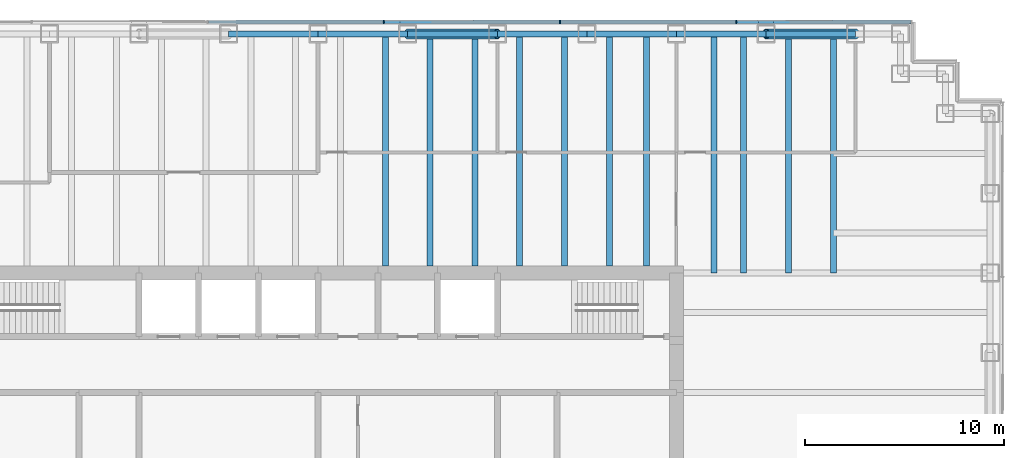
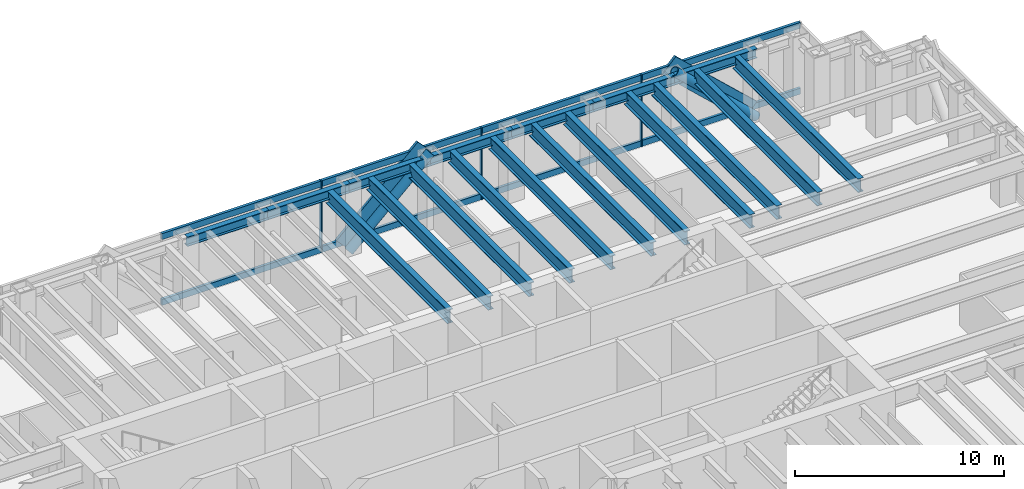
# One storey, part 7 of 15: 18 beams, 15 members, 1 element without a shape of its own.
"""IFC4 building model written with IfcOpenShell, lengths in metres."""

from ifc_helpers import new_model, si_unit, direction, frame, origin, origin_2d, place, context, subcontext, project, spatial, rectangle, hollow_circle, i_section, extrude, material, material_profile, profile_set, type_object, element, aggregate, save


model = new_model("IFC4")

# Units and contexts
model_context = context("Model", 3, precision=1e-05, world=origin(), true_north=direction((0.0, 1.0)))
body_context = subcontext(model_context, "Body", "Model", "MODEL_VIEW")
ifc_project = project(units=[si_unit("LENGTHUNIT", "METRE"), si_unit("AREAUNIT", "SQUARE_METRE"), si_unit("VOLUMEUNIT", "CUBIC_METRE"), si_unit("PLANEANGLEUNIT", "RADIAN"), si_unit("MASSUNIT", "GRAM", prefix="KILO")], contexts=[model_context])

# Site, building, storey
site_placement = place(None, origin())
site = spatial("IfcSite", under=ifc_project, at=site_placement, CompositionType="ELEMENT")
building_placement = place(site_placement, origin())
building = spatial("IfcBuilding", under=site, at=building_placement, Name="Rheinbord Bourse Tower", CompositionType="ELEMENT")
storey_placement = place(building_placement, frame((0.0, 0.0, 308.89990234375)))
storey = spatial("IfcBuildingStorey", under=building, at=storey_placement, Name="L70", CompositionType="ELEMENT", Elevation=308.89990234375)

# Curtain wall, members
ifc_material_1 = material(Name="Dark glass and black aluminium", Category="aluminium")
curtain_wall_type = type_object("IfcCurtainWallType", Name="CW3 DARK GLASS CURTAIN WALL", PredefinedType="USERDEFINED", material=ifc_material_1)
curtain_wall_placement = place(storey_placement, origin())
curtain_wall = element("IfcCurtainWall", 1, at=curtain_wall_placement, inside=storey, type_object=curtain_wall_type, Name="Curtain wall CW3 N L70", ObjectType="UNITISED CURTAIN WALL", PredefinedType="USERDEFINED")
ifc_material_2 = material(Name="Black anodised aluminium", Category="aluminium")
ifc_material_profile_1 = material_profile(ifc_material_2, rectangle(XDim=0.14990234375, YDim=1.10791015625, at=origin_2d()), Name="CW3 DIAGONAL MULLION 1108x150")
ifc_profile_set_1 = profile_set([ifc_material_profile_1], Name="Black anodised aluminium")
member_type_1 = type_object("IfcMemberType", Name="CW3 BLACK DIAGONAL MULLION", PredefinedType="USERDEFINED", material=ifc_profile_set_1)
member_1_placement = place(storey_placement, frame((63.0, 44.60009765625, 0.0), z_axis=(-0.731039441158, 0.0, 0.682335207557), x_axis=(0.0, -1.0, 0.0)))
member_1 = element("IfcMember", 2, at=member_1_placement, type_object=member_type_1, Name="CW3 diagonal mullion a", ObjectType="DIAGONAL MULLION", PredefinedType="USERDEFINED", context=body_context, shape_type="SweptSolid", body=[
    extrude(rectangle(XDim=0.14990234375, YDim=1.10791015625, at=origin_2d()), origin(), (0.0, 0.0, 1.0), 6.155517578125),
])
member_2_placement = place(storey_placement, frame((40.5, 44.60009765625, 0.0), z_axis=(0.731039441158, 0.0, 0.682335207557), x_axis=(0.0, 1.0, 0.0)))
member_2 = element("IfcMember", 3, at=member_2_placement, type_object=member_type_1, Name="CW3 diagonal mullion d", ObjectType="DIAGONAL MULLION", PredefinedType="USERDEFINED", context=body_context, shape_type="SweptSolid", body=[
    extrude(rectangle(XDim=0.14990234375, YDim=1.10791015625, at=origin_2d()), origin(), (0.0, 0.0, 1.0), 6.155517578125),
])
ifc_material_3 = material(Name="Black anodised aluminium", Category="aluminium")
ifc_material_profile_2 = material_profile(ifc_material_3, rectangle(XDim=0.199951171875, YDim=0.06494140625, at=origin_2d()), Name="CW3 MULLION 65x200")
ifc_profile_set_2 = profile_set([ifc_material_profile_2], Name="Black anodised aluminium")
member_type_2 = type_object("IfcMemberType", Name="CW3 BLACK MULLION", PredefinedType="MULLION", material=ifc_profile_set_2)
member_3_placement = place(storey_placement, frame((57.0, 44.60009765625, 0.0), z_axis=(0.0, 0.0, 1.0), x_axis=(0.0, -1.0, 0.0)))
member_3 = element("IfcMember", 4, at=member_3_placement, type_object=member_type_2, Name="CW3 mullion 2", PredefinedType="MULLION", context=body_context, shape_type="SweptSolid", body=[
    extrude(rectangle(XDim=0.199951171875, YDim=0.06494140625, at=origin_2d()), origin(), (0.0, 0.0, 1.0), 4.2001953125),
])
member_4_placement = place(storey_placement, frame((48.14990234375, 44.60009765625, 0.0), z_axis=(0.0, 0.0, 1.0), x_axis=(0.0, -1.0, 0.0)))
member_4 = element("IfcMember", 5, at=member_4_placement, type_object=member_type_2, Name="CW3 mullion 3", PredefinedType="MULLION", context=body_context, shape_type="SweptSolid", body=[
    extrude(rectangle(XDim=0.199951171875, YDim=0.06494140625, at=origin_2d()), origin(), (0.0, 0.0, 1.0), 4.2001953125),
])
member_5_placement = place(storey_placement, frame((39.300048828125, 44.60009765625, 0.0), z_axis=(0.0, 0.0, 1.0), x_axis=(0.0, -1.0, 0.0)))
member_5 = element("IfcMember", 6, at=member_5_placement, type_object=member_type_2, Name="CW3 mullion 4", PredefinedType="MULLION", context=body_context, shape_type="SweptSolid", body=[
    extrude(rectangle(XDim=0.199951171875, YDim=0.06494140625, at=origin_2d()), origin(), (0.0, 0.0, 1.0), 4.2001953125),
])
ifc_material_4 = material(Name="Black anodised aluminium", Category="aluminium")
ifc_material_profile_3 = material_profile(ifc_material_4, rectangle(XDim=0.14990234375, YDim=0.35009765625, at=origin_2d()), Name="CW3 TRANSOM 350x150")
ifc_profile_set_3 = profile_set([ifc_material_profile_3], Name="Black anodised aluminium")
member_type_3 = type_object("IfcMemberType", Name="CW3 BLACK TRANSOM", PredefinedType="USERDEFINED", material=ifc_profile_set_3)
member_6_placement = place(storey_placement, frame((65.784912109375, 44.60009765625, 0.175048828125), z_axis=(-1.0, 0.0, 0.0), x_axis=(0.0, -1.0, 0.0)))
member_6 = element("IfcMember", 7, at=member_6_placement, type_object=member_type_3, Name="CW3 transom 1.1", ObjectType="TRANSOM", PredefinedType="USERDEFINED", context=body_context, shape_type="SweptSolid", body=[
    extrude(rectangle(XDim=0.14990234375, YDim=0.35009765625, at=origin_2d()), origin(), (0.0, 0.0, 1.0), 8.75244140625),
])
member_7_placement = place(storey_placement, frame((65.784912109375, 44.60009765625, 4.025146484375), z_axis=(-1.0, 0.0, 0.0), x_axis=(0.0, -1.0, 0.0)))
member_7 = element("IfcMember", 8, at=member_7_placement, type_object=member_type_3, Name="CW3 transom 1.2", ObjectType="TRANSOM", PredefinedType="USERDEFINED", context=body_context, shape_type="SweptSolid", body=[
    extrude(rectangle(XDim=0.14990234375, YDim=0.35009765625, at=origin_2d()), origin(), (0.0, 0.0, 1.0), 8.75244140625),
])
member_8_placement = place(storey_placement, frame((56.967529296875, 44.60009765625, 0.175048828125), z_axis=(-1.0, 0.0, 0.0), x_axis=(0.0, -1.0, 0.0)))
member_8 = element("IfcMember", 9, at=member_8_placement, type_object=member_type_3, Name="CW3 transom 2.1", ObjectType="TRANSOM", PredefinedType="USERDEFINED", context=body_context, shape_type="SweptSolid", body=[
    extrude(rectangle(XDim=0.14990234375, YDim=0.35009765625, at=origin_2d()), origin(), (0.0, 0.0, 1.0), 8.784912109375),
])
member_9_placement = place(storey_placement, frame((56.967529296875, 44.60009765625, 4.025146484375), z_axis=(-1.0, 0.0, 0.0), x_axis=(0.0, -1.0, 0.0)))
member_9 = element("IfcMember", 10, at=member_9_placement, type_object=member_type_3, Name="CW3 transom 2.2", ObjectType="TRANSOM", PredefinedType="USERDEFINED", context=body_context, shape_type="SweptSolid", body=[
    extrude(rectangle(XDim=0.14990234375, YDim=0.35009765625, at=origin_2d()), origin(), (0.0, 0.0, 1.0), 8.784912109375),
])
member_10_placement = place(storey_placement, frame((48.117431640625, 44.60009765625, 0.175048828125), z_axis=(-1.0, 0.0, 0.0), x_axis=(0.0, -1.0, 0.0)))
member_10 = element("IfcMember", 11, at=member_10_placement, type_object=member_type_3, Name="CW3 transom 3.1", ObjectType="TRANSOM", PredefinedType="USERDEFINED", context=body_context, shape_type="SweptSolid", body=[
    extrude(rectangle(XDim=0.14990234375, YDim=0.35009765625, at=origin_2d()), origin(), (0.0, 0.0, 1.0), 8.784912109375),
])
member_11_placement = place(storey_placement, frame((48.117431640625, 44.60009765625, 4.025146484375), z_axis=(-1.0, 0.0, 0.0), x_axis=(0.0, -1.0, 0.0)))
member_11 = element("IfcMember", 12, at=member_11_placement, type_object=member_type_3, Name="CW3 transom 3.2", ObjectType="TRANSOM", PredefinedType="USERDEFINED", context=body_context, shape_type="SweptSolid", body=[
    extrude(rectangle(XDim=0.14990234375, YDim=0.35009765625, at=origin_2d()), origin(), (0.0, 0.0, 1.0), 8.784912109375),
])
member_12_placement = place(storey_placement, frame((39.267578125, 44.60009765625, 0.175048828125), z_axis=(-1.0, 0.0, 0.0), x_axis=(0.0, -1.0, 0.0)))
member_12 = element("IfcMember", 13, at=member_12_placement, type_object=member_type_3, Name="CW3 transom 4.1", ObjectType="TRANSOM", PredefinedType="USERDEFINED", context=body_context, shape_type="SweptSolid", body=[
    extrude(rectangle(XDim=0.14990234375, YDim=0.35009765625, at=origin_2d()), origin(), (0.0, 0.0, 1.0), 8.78515625),
])
member_13_placement = place(storey_placement, frame((39.267578125, 44.60009765625, 4.025146484375), z_axis=(-1.0, 0.0, 0.0), x_axis=(0.0, -1.0, 0.0)))
member_13 = element("IfcMember", 14, at=member_13_placement, type_object=member_type_3, Name="CW3 transom 4.2", ObjectType="TRANSOM", PredefinedType="USERDEFINED", context=body_context, shape_type="SweptSolid", body=[
    extrude(rectangle(XDim=0.14990234375, YDim=0.35009765625, at=origin_2d()), origin(), (0.0, 0.0, 1.0), 8.78515625),
])
aggregate(curtain_wall, [member_3, member_4, member_5, member_6, member_7, member_8, member_9, member_10, member_11, member_12, member_13, member_1, member_2])

# Beams
ifc_material_5 = material(Name="Steel S460", Category="steel")
ifc_material_profile_4 = material_profile(ifc_material_5, i_section(OverallWidth=0.300048828125, OverallDepth=0.800048828125, WebThickness=0.017578125, FlangeThickness=0.032958984375, at=origin_2d()), Name="HEB 800")
ifc_profile_set_4 = profile_set([ifc_material_profile_4], Name="Steel S460")
beam_type_1 = type_object("IfcBeamType", Name="FLOOR BEAM HEB 800", PredefinedType="BEAM", material=ifc_profile_set_4)
for number, where, z_axis, x_axis, name in (
    (15, (39.375, 44.0, 3.64013671875), (0.0, -1.0, 0.0), (1.0, 0.0, 0.0), "Floor beam N-36b L71"),
    (16, (41.625, 44.0, 3.64013671875), (0.0, -1.0, 0.0), (1.0, 0.0, 0.0), "Floor beam N-40.5a L71"),
    (17, (43.875, 44.0, 3.64013671875), (0.0, -1.0, 0.0), (1.0, 0.0, 0.0), "Floor beam N-40.5b L71"),
    (18, (46.125, 44.0, 3.64013671875), (0.0, -1.0, 0.0), (1.0, 0.0, 0.0), "Floor beam N-45a L71"),
    (19, (48.375, 44.0, 3.64013671875), (0.0, -1.0, 0.0), (1.0, 0.0, 0.0), "Floor beam N-45b L71"),
    (20, (50.625, 44.0, 3.64013671875), (0.0, -1.0, 0.0), (1.0, 0.0, 0.0), "Floor beam N-49.5a L71"),
    (21, (52.5, 44.0, 3.64013671875), (0.0, -1.0, 0.0), (1.0, 0.0, 0.0), "Floor beam N-49.5b L71"),
):
    element("IfcBeam", number, at=place(storey_placement, frame(where, z_axis=z_axis, x_axis=x_axis)), inside=storey, type_object=beam_type_1, Name=name, PredefinedType="BEAM", context=body_context, shape_type="SweptSolid", body=[
        extrude(i_section(OverallWidth=0.300048828125, OverallDepth=0.800048828125, WebThickness=0.017578125, FlangeThickness=0.032958984375, at=origin_2d()), origin(), (0.0, 0.0, 1.0), 11.64990234375),
    ])
for number, where, z_axis, x_axis, name in (
    (22, (55.875, 44.0, 3.64013671875), (0.0, -1.0, 0.0), (1.0, 0.0, 0.0), "Floor beam N-54a L71"),
    (23, (57.375, 44.0, 3.64013671875), (0.0, -1.0, 0.0), (1.0, 0.0, 0.0), "Floor beam N-54b L71"),
    (24, (59.625, 44.0, 3.64013671875), (0.0, -1.0, 0.0), (1.0, 0.0, 0.0), "Floor beam N-58.5a L71"),
    (25, (61.875, 44.0, 3.64013671875), (0.0, -1.0, 0.0), (1.0, 0.0, 0.0), "Floor beam N-58.5b L71"),
):
    element("IfcBeam", number, at=place(storey_placement, frame(where, z_axis=z_axis, x_axis=x_axis)), inside=storey, type_object=beam_type_1, Name=name, PredefinedType="BEAM", context=body_context, shape_type="SweptSolid", body=[
        extrude(i_section(OverallWidth=0.300048828125, OverallDepth=0.800048828125, WebThickness=0.017578125, FlangeThickness=0.032958984375, at=origin_2d()), origin(), (0.0, 0.0, 1.0), 12.0),
    ])

# Members
ifc_material_6 = material(Name="Steel S460", Category="steel")
ifc_material_profile_5 = material_profile(ifc_material_6, hollow_circle(Radius=0.25390625, WallThickness=0.030029296875, at=origin_2d()), Name="CHS 508x30")
ifc_profile_set_5 = profile_set([ifc_material_profile_5], Name="Steel S460")
member_type_4 = type_object("IfcMemberType", Name="MEGABRACE CHS 508x30", PredefinedType="BRACE", material=ifc_profile_set_5)
for number, where, z_axis, x_axis, name in (
    (26, (63.0, 44.0, 0.0), (-0.731039441158, 0.0, 0.682335207557), (0.0, -1.0, 0.0), "Megabrace N face line a L70"),
    (27, (40.5, 44.0, 0.0), (0.731039441158, 0.0, 0.682335207557), (0.0, 1.0, 0.0), "Megabrace N face line d L70"),
):
    element("IfcMember", number, at=place(storey_placement, frame(where, z_axis=z_axis, x_axis=x_axis)), inside=storey, type_object=member_type_4, Name=name, PredefinedType="BRACE", context=body_context, shape_type="SweptSolid", body=[
        extrude(hollow_circle(Radius=0.25390625, WallThickness=0.030029296875, at=origin_2d()), origin(), (0.0, 0.0, 1.0), 6.155517578125),
    ])

# Beams
ifc_material_7 = material(Name="Steel S460", Category="steel")
ifc_material_profile_6 = material_profile(ifc_material_7, i_section(OverallWidth=0.300048828125, OverallDepth=0.550048828125, WebThickness=0.014892578125, FlangeThickness=0.029052734375, at=origin_2d()), Name="HEB 550")
ifc_profile_set_6 = profile_set([ifc_material_profile_6], Name="Steel S460")
beam_type_2 = type_object("IfcBeamType", Name="SPANDREL HEB 550", PredefinedType="SPANDREL", material=ifc_profile_set_6)
for number, where, z_axis, x_axis, name in (
    (28, (63.0, 44.0, 3.76513671875), (-1.0, 0.0, 0.0), (0.0, -1.0, 0.0), "Spandrel N-63-N-58.5 under L71"),
    (29, (58.5, 44.0, 3.76513671875), (-1.0, 0.0, 0.0), (0.0, -1.0, 0.0), "Spandrel N-58.5-N-54 under L71"),
    (30, (54.0, 44.0, 3.76513671875), (-1.0, 0.0, 0.0), (0.0, -1.0, 0.0), "Spandrel N-54-N-49.5 under L71"),
    (31, (49.5, 44.0, 3.76513671875), (-1.0, 0.0, 0.0), (0.0, -1.0, 0.0), "Spandrel N-49.5-N-45 under L71"),
    (32, (45.0, 44.0, 3.76513671875), (-1.0, 0.0, 0.0), (0.0, -1.0, 0.0), "Spandrel N-45-N-40.5 under L71"),
    (33, (40.5, 44.0, 3.76513671875), (-1.0, 0.0, 0.0), (0.0, -1.0, 0.0), "Spandrel N-40.5-N-36 under L71"),
    (34, (36.0, 44.0, 3.76513671875), (-1.0, 0.0, 0.0), (0.0, -1.0, 0.0), "Spandrel N-36-N-31.5 under L71"),
):
    element("IfcBeam", number, at=place(storey_placement, frame(where, z_axis=z_axis, x_axis=x_axis)), inside=storey, type_object=beam_type_2, Name=name, PredefinedType="SPANDREL", context=body_context, shape_type="SweptSolid", body=[
        extrude(i_section(OverallWidth=0.300048828125, OverallDepth=0.550048828125, WebThickness=0.014892578125, FlangeThickness=0.029052734375, at=origin_2d()), origin(), (0.0, 0.0, 1.0), 4.5),
    ])

save(model, "model.ifc")
